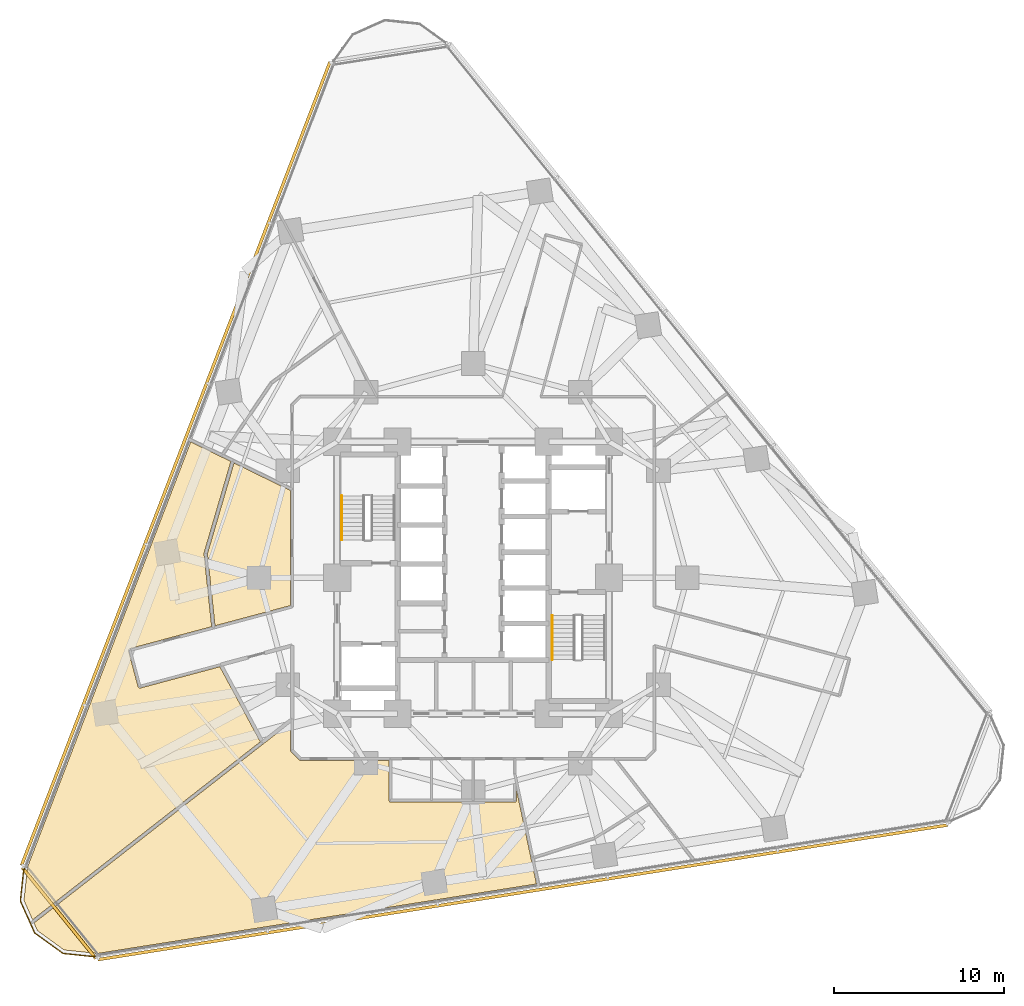
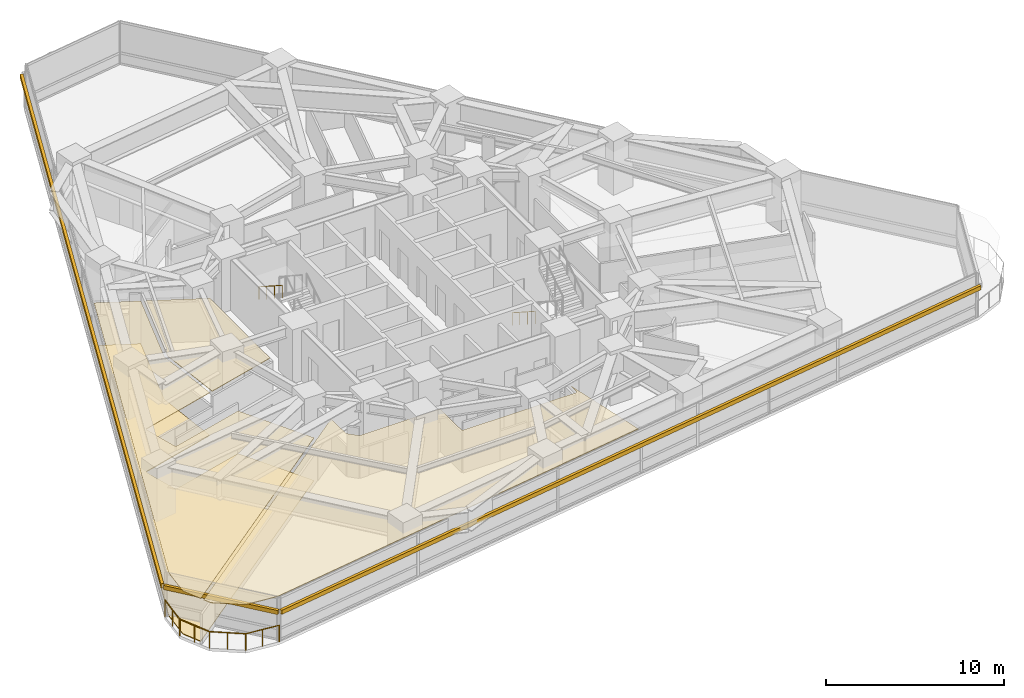
# One storey, part 11 of 13: 4 coverings, 3 railings, 3 shading devices.
"""IFC4 building model written with IfcOpenShell, lengths in metres."""

from ifc_helpers import new_model, si_unit, direction, frame, origin, origin_2d, place, context, subcontext, project, spatial, polyline, rectangle, circle, outline, extrude, material, layer, layer_set, type_object, element, save


model = new_model("IFC4")

# Units and contexts
model_context = context("Model", 3, precision=1e-05, world=origin(), true_north=direction((0.0, 1.0)))
body_context = subcontext(model_context, "Body", "Model", "MODEL_VIEW")
ifc_project = project(units=[si_unit("LENGTHUNIT", "METRE"), si_unit("AREAUNIT", "SQUARE_METRE"), si_unit("VOLUMEUNIT", "CUBIC_METRE"), si_unit("PLANEANGLEUNIT", "RADIAN"), si_unit("MASSUNIT", "GRAM", prefix="KILO")], contexts=[model_context])

# Site, building, storey
site_placement = place(None, origin())
site = spatial("IfcSite", under=ifc_project, at=site_placement, CompositionType="ELEMENT")
building_placement = place(site_placement, origin())
building = spatial("IfcBuilding", under=site, at=building_placement, Name="Terralouvre Media Tower", CompositionType="ELEMENT")
storey_placement = place(building_placement, frame((0.0, 0.0, 81.5)))
storey = spatial("IfcBuildingStorey", under=building, at=storey_placement, Name="L20", CompositionType="ELEMENT", Elevation=81.5)

# Coverings
ifc_material_1 = material(Name="Resilient elastomer acoustic broadcast studio flooring")
ifc_layer_1 = layer(ifc_material_1, 0.050048828125, Name="Broadcast Studio Acoustic Floating Floor FL-AC1")
ifc_layer_set_1 = layer_set([ifc_layer_1], Name="Resilient elastomer acoustic broadcast studio flooring")
covering_type_1 = type_object("IfcCoveringType", Name="Broadcast Studio Acoustic Floating Floor FL-AC1", PredefinedType="FLOORING", material=ifc_layer_set_1)
covering_1_placement = place(storey_placement, frame((0.0, 0.0, 0.0), z_axis=(0.0, 0.0, 1.0), x_axis=(0.987688340595, 0.15643446504, 0.0)))
element("IfcCovering", 1, at=covering_1_placement, inside=storey, type_object=covering_type_1, Name="L20 Treaty Reference Library 4 Acoustic Floating Floor", PredefinedType="FLOORING", context=body_context, shape_type="SweptSolid", body=[
    extrude(outline(polyline([(-15.537109375, -2.839599609375), (-20.361328125, -3.3466796875), (-20.37109375, -3.34716796875), (-20.380859375, -3.3466796875), (-20.390625, -3.34521484375), (-20.400146484375, -3.343017578125), (-20.409423828125, -3.33984375), (-20.418212890625, -3.335693359375), (-20.4267578125, -3.33056640625), (-20.434814453125, -3.324951171875), (-20.44189453125, -3.318359375), (-20.44873046875, -3.31103515625), (-20.45458984375, -3.30322265625), (-20.459716796875, -3.294921875), (-20.4638671875, -3.285888671875), (-20.46728515625, -3.27685546875), (-20.4697265625, -3.267333984375), (-20.47119140625, -3.257568359375), (-20.701904296875, -1.069580078125), (-20.702392578125, -1.059814453125), (-20.701904296875, -1.050048828125), (-20.700439453125, -1.040283203125), (-20.6982421875, -1.03076171875), (-20.695068359375, -1.021484375), (-20.69091796875, -1.0126953125), (-20.685791015625, -1.004150390625), (-20.679931640625, -0.99609375), (-20.673583984375, -0.989013671875), (-20.666259765625, -0.982177734375), (-20.658447265625, -0.976318359375), (-20.650146484375, -0.97119140625), (-20.64111328125, -0.967041015625), (-20.6318359375, -0.963623046875), (-20.62255859375, -0.961181640625), (-20.61279296875, -0.959716796875), (-15.6455078125, -0.4375), (-15.419677734375, 3.872314453125), (-15.41845703125, 3.882080078125), (-15.41650390625, 3.8916015625), (-15.413818359375, 3.90087890625), (-15.41015625, 3.909912109375), (-13.007080078125, 8.985595703125), (-13.517578125, 9.3427734375), (-15.16259765625, 10.494384765625), (-28.561279296875, -12.713134765625), (-29.072509765625, -14.618896484375), (-28.749755859375, -15.82177734375), (-13.875244140625, -7.576904296875), (-15.537109375, -2.839599609375)])), origin(), (0.0, 0.0, 1.0), 0.050048828125),
])
ifc_material_2 = material(Name="Perforated aluminium acoustic ceiling baffle", Category="aluminium")
ifc_layer_2 = layer(ifc_material_2, 0.0400390625, Name="Perforated Acoustic Metal Tile Ceiling CL-AC1")
ifc_layer_set_2 = layer_set([ifc_layer_2], Name="Perforated aluminium acoustic ceiling baffle")
covering_type_2 = type_object("IfcCoveringType", Name="Perforated Acoustic Metal Tile Ceiling CL-AC1", PredefinedType="CEILING", material=ifc_layer_set_2)
covering_2_placement = place(storey_placement, frame((0.0, 0.0, 2.93994140625), z_axis=(0.0, 0.0, 1.0), x_axis=(0.987688340595, 0.15643446504, 0.0)))
element("IfcCovering", 2, at=covering_2_placement, inside=storey, type_object=covering_type_2, Name="L20 Treaty Reference Library 4 Acoustic Ceiling", PredefinedType="CEILING", context=body_context, shape_type="SweptSolid", body=[
    extrude(outline(polyline([(-15.537109375, -2.839599609375), (-20.361328125, -3.3466796875), (-20.37109375, -3.34716796875), (-20.380859375, -3.3466796875), (-20.390625, -3.34521484375), (-20.400146484375, -3.343017578125), (-20.409423828125, -3.33984375), (-20.418212890625, -3.335693359375), (-20.4267578125, -3.33056640625), (-20.434814453125, -3.324951171875), (-20.44189453125, -3.318359375), (-20.44873046875, -3.31103515625), (-20.45458984375, -3.30322265625), (-20.459716796875, -3.294921875), (-20.4638671875, -3.285888671875), (-20.46728515625, -3.27685546875), (-20.4697265625, -3.267333984375), (-20.47119140625, -3.257568359375), (-20.701904296875, -1.069580078125), (-20.702392578125, -1.059814453125), (-20.701904296875, -1.050048828125), (-20.700439453125, -1.040283203125), (-20.6982421875, -1.03076171875), (-20.695068359375, -1.021484375), (-20.69091796875, -1.0126953125), (-20.685791015625, -1.004150390625), (-20.679931640625, -0.99609375), (-20.673583984375, -0.989013671875), (-20.666259765625, -0.982177734375), (-20.658447265625, -0.976318359375), (-20.650146484375, -0.97119140625), (-20.64111328125, -0.967041015625), (-20.6318359375, -0.963623046875), (-20.62255859375, -0.961181640625), (-20.61279296875, -0.959716796875), (-15.6455078125, -0.4375), (-15.419677734375, 3.872314453125), (-15.41845703125, 3.882080078125), (-15.41650390625, 3.8916015625), (-15.413818359375, 3.90087890625), (-15.41015625, 3.909912109375), (-13.007080078125, 8.985595703125), (-13.517578125, 9.3427734375), (-15.16259765625, 10.494384765625), (-28.561279296875, -12.713134765625), (-29.072509765625, -14.618896484375), (-28.749755859375, -15.82177734375), (-13.875244140625, -7.576904296875), (-15.537109375, -2.839599609375)])), origin(), (0.0, 0.0, 1.0), 0.0400390625),
])
covering_3_placement = place(storey_placement, frame((0.0, 0.0, 2.93994140625), z_axis=(0.0, 0.0, 1.0), x_axis=(0.987688340595, 0.15643446504, 0.0)))
element("IfcCovering", 3, at=covering_3_placement, inside=storey, type_object=covering_type_2, Name="L20 Editorial Collaborative Open Office 5 Acoustic Ceiling", PredefinedType="CEILING", context=body_context, shape_type="SweptSolid", body=[
    extrude(outline(polyline([(-15.220947265625, 3.84228515625), (-15.444091796875, -0.416259765625), (-10.8740234375, 0.0634765625), (-9.81494140625, 6.75), (-12.841064453125, 8.869140625), (-15.220947265625, 3.84228515625)])), origin(), (0.0, 0.0, 1.0), 0.0400390625),
])
covering_4_placement = place(storey_placement, frame((0.0, 0.0, 2.93994140625), z_axis=(0.0, 0.0, 1.0), x_axis=(0.987688340595, 0.15643446504, 0.0)))
element("IfcCovering", 4, at=covering_4_placement, inside=storey, type_object=covering_type_2, Name="L20 Press Dispatch Post Room 6 Acoustic Ceiling", PredefinedType="CEILING", context=body_context, shape_type="SweptSolid", body=[
    extrude(outline(polyline([(0.566650390625, -12.722900390625), (0.46923828125, -13.337646484375), (0.46728515625, -13.34716796875), (0.46435546875, -13.356689453125), (0.46044921875, -13.365478515625), (0.455810546875, -13.374267578125), (0.4501953125, -13.38232421875), (0.44384765625, -13.389892578125), (0.43701171875, -13.396728515625), (0.42919921875, -13.40283203125), (0.421142578125, -13.408203125), (0.412353515625, -13.412841796875), (0.4033203125, -13.41650390625), (0.393798828125, -13.419189453125), (0.38427734375, -13.421142578125), (0.37451171875, -13.421875), (0.36474609375, -13.421875), (0.35498046875, -13.420654296875), (-6.855224609375, -12.27880859375), (-6.86474609375, -12.27685546875), (-6.874267578125, -12.27392578125), (-6.88330078125, -12.27001953125), (-6.891845703125, -12.265380859375), (-6.89990234375, -12.259765625), (-6.907470703125, -12.25341796875), (-6.914306640625, -12.246337890625), (-6.92041015625, -12.23876953125), (-6.92578125, -12.23046875), (-6.930419921875, -12.221923828125), (-6.93408203125, -12.212646484375), (-6.936767578125, -12.203369140625), (-6.938720703125, -12.193603515625), (-6.939453125, -12.183837890625), (-6.939453125, -12.174072265625), (-6.938232421875, -12.164306640625), (-6.57080078125, -9.84326171875), (-11.706787109375, -9.02978515625), (-11.71630859375, -9.02783203125), (-11.7255859375, -9.02490234375), (-11.734619140625, -9.02099609375), (-11.743408203125, -9.016357421875), (-11.75146484375, -9.0107421875), (-11.759033203125, -9.00439453125), (-11.765869140625, -8.99755859375), (-11.77197265625, -8.98974609375), (-12.1875, -8.417724609375), (-12.19287109375, -8.409423828125), (-12.197509765625, -8.40087890625), (-12.201171875, -8.391845703125), (-12.203857421875, -8.38232421875), (-12.205810546875, -8.372802734375), (-12.20654296875, -8.363037109375), (-12.20654296875, -8.35302734375), (-12.20556640625, -8.34326171875), (-11.951416015625, -6.7392578125), (-13.704345703125, -7.7109375), (-28.696533203125, -16.020751953125), (-28.569580078125, -16.49462890625), (-27.19580078125, -17.867919921875), (-25.291015625, -18.378173828125), (0.86279296875, -18.37890625), (0.78173828125, -16.831298828125), (0.566650390625, -12.722900390625)])), origin(), (0.0, 0.0, 1.0), 0.0400390625),
])

# Railings
ifc_material_3 = material(Name="Stainless steel 316 handrail and balustrade", Category="steel")
ifc_layer_3 = layer(ifc_material_3, 0.06005859375, Name="Roof Edge Safety Guardrail GR-ROOF1")
ifc_layer_set_3 = layer_set([ifc_layer_3], Name="Stainless steel 316 handrail and balustrade")
railing_type_1 = type_object("IfcRailingType", Name="Roof Edge Safety Guardrail GR-ROOF1", PredefinedType="GUARDRAIL", material=ifc_layer_set_3)
railing_placement = place(storey_placement, frame((-26.424560546875, -16.965087890625, 0.0)))
element("IfcRailing", 5, at=railing_placement, inside=storey, type_object=railing_type_1, Name="L20 Wind-Corner Perimeter Safety Guardrail C0", PredefinedType="GUARDRAIL", context=body_context, shape_type="SweptSolid", body=[
    extrude(circle(Radius=0.02099609375, at=origin_2d()), frame((0.0, 0.0, 1.12890625), z_axis=(-0.104666273578, -0.994507401267, 0.0), x_axis=(0.994507401267, -0.104666273578, 0.0)), (0.0, 0.0, 1.0), 2.0595703125),
    extrude(circle(Radius=0.02099609375, at=origin_2d()), frame((-0.215576171875, -2.04833984375, 1.12890625), z_axis=(0.406644402356, -0.913586520278, 0.0), x_axis=(0.913586520278, 0.406644402356, 0.0)), (0.0, 0.0, 1.0), 2.059326171875),
    extrude(circle(Radius=0.02099609375, at=origin_2d()), frame((0.621826171875, -3.9296875, 1.12890625), z_axis=(0.809069210714, -0.587713375954, 0.0), x_axis=(0.587713375954, 0.809069210714, 0.0)), (0.0, 0.0, 1.0), 2.05908203125),
    extrude(circle(Radius=0.02099609375, at=origin_2d()), frame((2.287841796875, -5.139892578125, 1.12890625), z_axis=(0.994544355817, -0.104314545068, 0.0), x_axis=(0.104314545068, 0.994544355817, 0.0)), (0.0, 0.0, 1.0), 2.0595703125),
    extrude(circle(Radius=0.01904296875, at=origin_2d()), origin(), (0.0, 0.0, 1.0), 1.10791015625),
    extrude(circle(Radius=0.01904296875, at=origin_2d()), frame((-0.10791015625, -1.024169921875, 0.0)), (0.0, 0.0, 1.0), 1.10791015625),
    extrude(circle(Radius=0.01904296875, at=origin_2d()), frame((-0.215576171875, -2.04833984375, 0.0)), (0.0, 0.0, 1.0), 1.10791015625),
    extrude(circle(Radius=0.01904296875, at=origin_2d()), frame((0.203125, -2.989013671875, 0.0)), (0.0, 0.0, 1.0), 1.10791015625),
    extrude(circle(Radius=0.01904296875, at=origin_2d()), frame((0.621826171875, -3.9296875, 0.0)), (0.0, 0.0, 1.0), 1.10791015625),
    extrude(circle(Radius=0.01904296875, at=origin_2d()), frame((1.454833984375, -4.53466796875, 0.0)), (0.0, 0.0, 1.0), 1.10791015625),
    extrude(circle(Radius=0.01904296875, at=origin_2d()), frame((2.287841796875, -5.139892578125, 0.0)), (0.0, 0.0, 1.0), 1.10791015625),
    extrude(circle(Radius=0.01904296875, at=origin_2d()), frame((3.31201171875, -5.247314453125, 0.0)), (0.0, 0.0, 1.0), 1.10791015625),
    extrude(circle(Radius=0.01904296875, at=origin_2d()), frame((4.336181640625, -5.354736328125, 0.0)), (0.0, 0.0, 1.0), 1.10791015625),
])
ifc_material_4 = material(Name="Stainless steel 316 handrail and balustrade", Category="steel")
ifc_layer_4 = layer(ifc_material_4, 0.050048828125, Name="Stair Flight Wall Handrail HR-INT1")
ifc_layer_set_4 = layer_set([ifc_layer_4], Name="Stainless steel 316 handrail and balustrade")
railing_type_2 = type_object("IfcRailingType", Name="Stair Flight Wall Handrail HR-INT1", PredefinedType="HANDRAIL", material=ifc_layer_set_4)
for number, where, name in (
    (6, (-7.72998046875, 4.820068359375, 2.01806640625), "L20 ST-01 stair handrail 2"),
    (7, (4.64990234375, -2.219970703125, 0.168212890625), "L20 ST-02 stair handrail 1"),
):
    element("IfcRailing", number, at=place(storey_placement, frame(where)), inside=storey, type_object=railing_type_2, Name=name, PredefinedType="HANDRAIL", context=body_context, shape_type="SweptSolid", body=[
        extrude(circle(Radius=0.02392578125, at=origin_2d()), frame((0.0, 0.0, 0.8759765625), z_axis=(0.0, -0.839648411786, 0.543130320075), x_axis=(1.0, 0.0, 0.0)), (0.0, 0.0, 1.0), 3.0966796875),
        extrude(circle(Radius=0.02099609375, at=origin_2d()), origin(), (0.0, 0.0, 1.0), 0.851806640625),
        extrude(circle(Radius=0.02099609375, at=origin_2d()), frame((0.0, -0.86669921875, 0.560546875)), (0.0, 0.0, 1.0), 0.851806640625),
        extrude(circle(Radius=0.02099609375, at=origin_2d()), frame((0.0, -1.7333984375, 1.121337890625)), (0.0, 0.0, 1.0), 0.851806640625),
        extrude(circle(Radius=0.02099609375, at=origin_2d()), frame((0.0, -2.60009765625, 1.681884765625)), (0.0, 0.0, 1.0), 0.851806640625),
    ])

# Shading devices
ifc_material_5 = material(Name="Extruded terracotta baguette sunshade louvres", Category="masonry")
shading_device_type = type_object("IfcShadingDeviceType", Name="Terracotta Baguette Sunshade Louvre Screen TB-LV1", PredefinedType="USERDEFINED", material=ifc_material_5)
for number, where, z_axis, x_axis, name in (
    (8, (2.931396484375, -18.5078125, 1.9990234375), (0.0, 0.0, 1.0), (0.987688340934, 0.156434462903, 0.0), "CW-L20-F0 Terracotta Baguette Sunshade Louvre"),
    (9, (-17.493896484375, 6.71533203125, 1.9990234375), (0.0, 0.0, 1.0), (-0.358367917006, -0.933580438988, 0.0), "CW-L20-F2 Terracotta Baguette Sunshade Louvre"),
):
    element("IfcShadingDevice", number, at=place(storey_placement, frame(where, z_axis=z_axis, x_axis=x_axis)), inside=storey, type_object=shading_device_type, Name=name, ObjectType="BAGUETTE", PredefinedType="USERDEFINED", context=body_context, shape_type="SweptSolid", body=[
        extrude(rectangle(XDim=50.639892578125, YDim=0.179931640625, at=origin_2d()), origin(), (0.0, 0.0, 1.0), 0.280029296875),
    ])
shading_device_placement = place(storey_placement, frame((-24.361328125, -19.727294921875, 1.9990234375), z_axis=(0.0, 0.0, 1.0), x_axis=(0.629320031936, -0.777146252262, 0.0)))
element("IfcShadingDevice", 10, at=shading_device_placement, inside=storey, type_object=shading_device_type, Name="CW-L20-C0 Terracotta Baguette Sunshade Louvre", ObjectType="BAGUETTE", PredefinedType="USERDEFINED", context=body_context, shape_type="SweptSolid", body=[
    extrude(rectangle(XDim=6.8935546875, YDim=0.179931640625, at=origin_2d()), origin(), (0.0, 0.0, 1.0), 0.280029296875),
])

save(model, "model.ifc")
